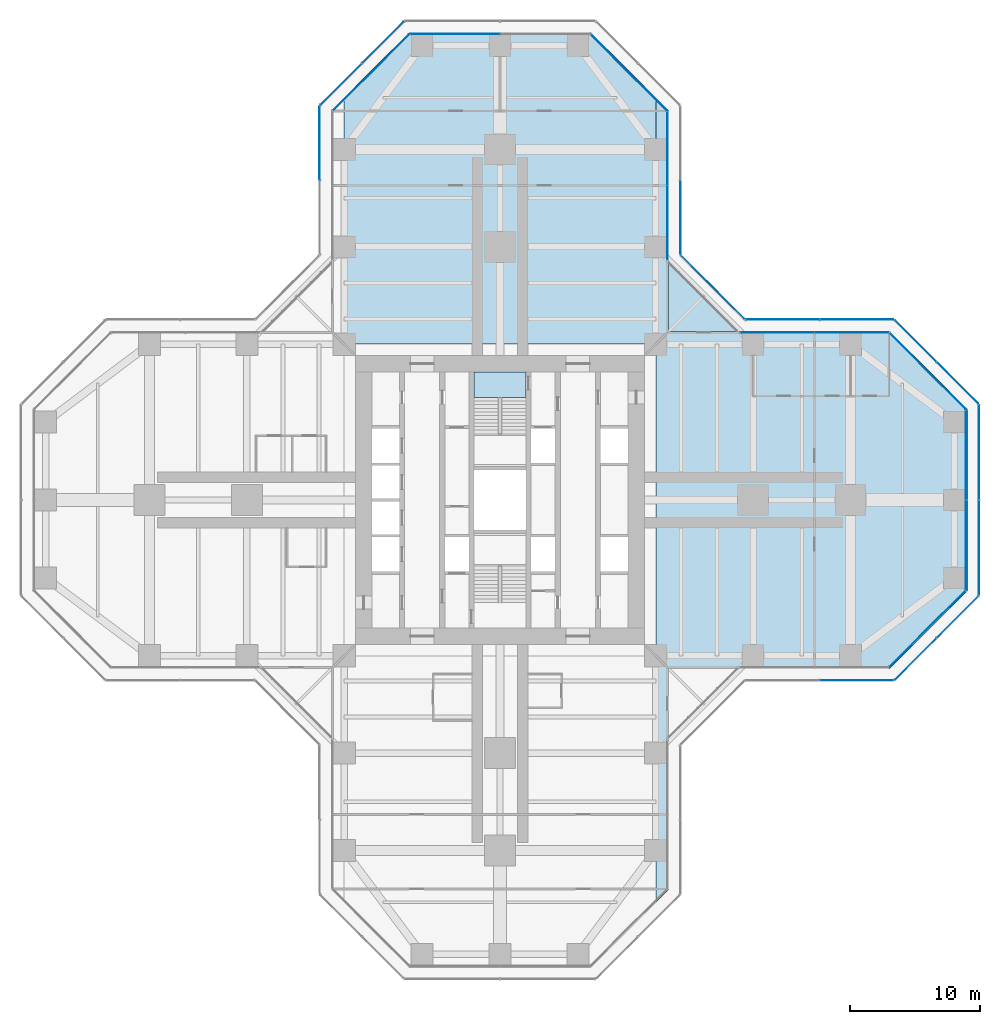
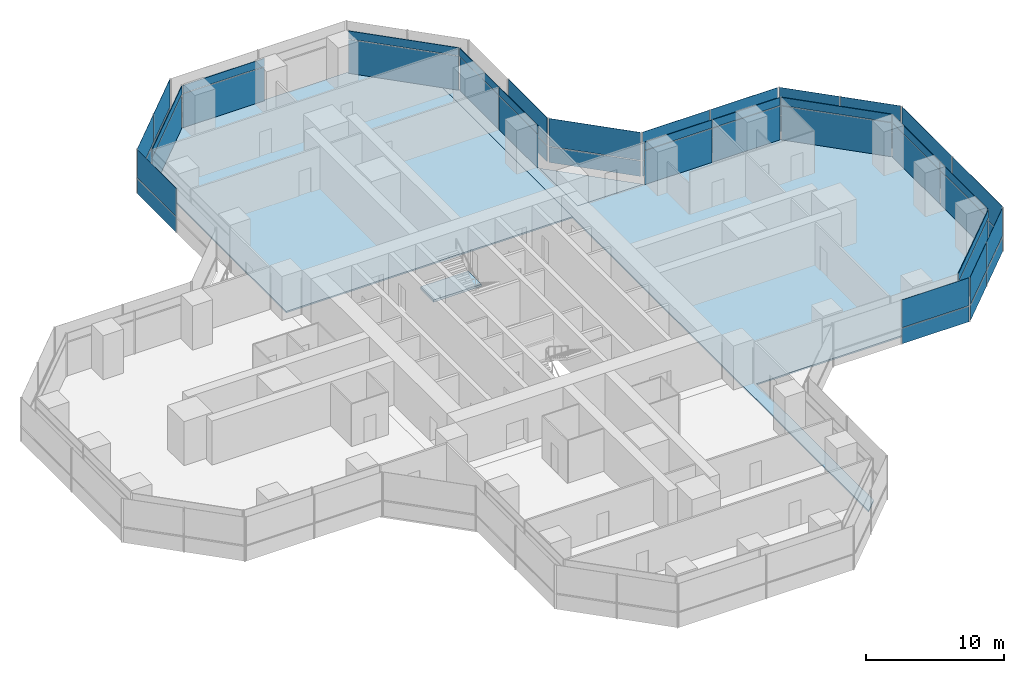
# One storey, part 16 of 22: 50 plates, 4 slabs, 18 elements without a shape of their own.
"""IFC4 building model written with IfcOpenShell, lengths in metres."""

from ifc_helpers import new_model, si_unit, direction, frame, origin, origin_2d, place, context, subcontext, project, spatial, polyline, rectangle, outline, extrude, material, layer, layer_set, type_object, element, aggregate, save


model = new_model("IFC4")

# Units and contexts
model_context = context("Model", 3, precision=1e-05, world=origin(), true_north=direction((0.0, 1.0)))
body_context = subcontext(model_context, "Body", "Model", "MODEL_VIEW")
ifc_project = project(units=[si_unit("LENGTHUNIT", "METRE"), si_unit("AREAUNIT", "SQUARE_METRE"), si_unit("VOLUMEUNIT", "CUBIC_METRE"), si_unit("PLANEANGLEUNIT", "RADIAN"), si_unit("MASSUNIT", "GRAM", prefix="KILO")], contexts=[model_context])

# Site, building, storey
site_placement = place(None, origin())
site = spatial("IfcSite", under=ifc_project, at=site_placement, CompositionType="ELEMENT")
building_placement = place(site_placement, origin())
building = spatial("IfcBuilding", under=site, at=building_placement, Name="Mizan Broadcast Tower", CompositionType="ELEMENT")
storey_placement = place(building_placement, frame((0.0, 0.0, 90.300048828125)))
storey = spatial("IfcBuildingStorey", under=building, at=storey_placement, Name="L19", CompositionType="ELEMENT", Elevation=90.300048828125)

# Slabs
ifc_material_1 = material(Name="Concrete C32/40", Category="concrete")
ifc_layer_1 = layer(ifc_material_1, 0.1298828125)
ifc_layer_set_1 = layer_set([ifc_layer_1], Name="Concrete C32/40")
slab_type_1 = type_object("IfcSlabType", Name="COMPOSITE DECK SLAB 130", PredefinedType="FLOOR", material=ifc_layer_set_1)
slab_1_placement = place(storey_placement, frame((0.0, 0.0, -0.130126953125)))
element("IfcSlab", 1, at=slab_1_placement, inside=storey, type_object=slab_type_1, Name="Floor slab L19 east arm", PredefinedType="FLOOR", context=body_context, shape_type="SweptSolid", body=[
    extrude(outline(polyline([(12.0, -31.0), (13.0, -30.0), (13.0, -13.0), (30.0, -13.0), (36.0, -7.0), (36.0, 7.0), (30.0, 13.0), (13.0, 13.0), (13.0, 30.0), (12.0, 31.0), (12.0, -31.0)])), origin(), (0.0, 0.0, 1.0), 0.130126953125),
])
slab_2_placement = place(storey_placement, frame((0.0, 0.0, -0.130126953125)))
element("IfcSlab", 2, at=slab_2_placement, inside=storey, type_object=slab_type_1, Name="Floor slab L19 north arm", PredefinedType="FLOOR", context=body_context, shape_type="SweptSolid", body=[
    extrude(outline(polyline([(-7.0, 36.0), (-12.0, 31.0), (-12.0, 12.0), (12.0, 12.0), (12.0, 31.0), (7.0, 36.0), (-7.0, 36.0)])), origin(), (0.0, 0.0, 1.0), 0.130126953125),
])

# Curtain wall, plate
ifc_material_2 = material(Name="Aluminium framed glazing", Category="aluminium")
curtain_wall_type_1 = type_object("IfcCurtainWallType", Name="INNER SKIN LOW ZONE", PredefinedType="USERDEFINED", material=ifc_material_2)
curtain_wall_1_placement = place(storey_placement, origin())
curtain_wall_1 = element("IfcCurtainWall", 3, at=curtain_wall_1_placement, inside=storey, type_object=curtain_wall_type_1, Name="Inner skin low zone L19 E chamfer", ObjectType="INNER SKIN LOW ZONE", PredefinedType="USERDEFINED")
ifc_material_3 = material(Name="Double glazing, clear low-e", Category="glass")
ifc_layer_2 = layer(ifc_material_3, 0.028076171875)
ifc_layer_set_2 = layer_set([ifc_layer_2], Name="Double glazing, clear low-e")
plate_type_1 = type_object("IfcPlateType", Name="INNER SKIN GLAZING UNIT", PredefinedType="CURTAIN_PANEL", material=ifc_layer_set_2)
plate_1_placement = place(storey_placement, frame((32.92919921875, -9.92919921875, 0.0), z_axis=(0.0, 0.0, 1.0), x_axis=(0.707106781187, 0.707106781187, 0.0)))
plate_1 = element("IfcPlate", 4, at=plate_1_placement, type_object=plate_type_1, Name="Inner skin low zone L19 E chamfer panel 1.1", PredefinedType="CURTAIN_PANEL", context=body_context, shape_type="SweptSolid", body=[
    extrude(rectangle(XDim=8.282470703125, YDim=0.028076171875, at=origin_2d()), origin(), (0.0, 0.0, 1.0), 3.0),
])

# Curtain wall, plates
curtain_wall_2_placement = place(storey_placement, origin())
curtain_wall_2 = element("IfcCurtainWall", 5, at=curtain_wall_2_placement, inside=storey, type_object=curtain_wall_type_1, Name="Inner skin low zone L19 E end", ObjectType="INNER SKIN LOW ZONE", PredefinedType="USERDEFINED")
plate_2_placement = place(storey_placement, frame((35.89990234375, -3.46435546875, 0.0), z_axis=(0.0, 0.0, 1.0), x_axis=(0.0, 1.0, 0.0)))
plate_2 = element("IfcPlate", 6, at=plate_2_placement, type_object=plate_type_1, Name="Inner skin low zone L19 E end panel 1.1", PredefinedType="CURTAIN_PANEL", context=body_context, shape_type="SweptSolid", body=[
    extrude(rectangle(XDim=6.86865234375, YDim=0.028076171875, at=origin_2d()), origin(), (0.0, 0.0, 1.0), 3.0),
])
plate_3_placement = place(storey_placement, frame((35.89990234375, 3.46435546875, 0.0), z_axis=(0.0, 0.0, 1.0), x_axis=(0.0, 1.0, 0.0)))
plate_3 = element("IfcPlate", 7, at=plate_3_placement, type_object=plate_type_1, Name="Inner skin low zone L19 E end panel 2.1", PredefinedType="CURTAIN_PANEL", context=body_context, shape_type="SweptSolid", body=[
    extrude(rectangle(XDim=6.86865234375, YDim=0.028076171875, at=origin_2d()), origin(), (0.0, 0.0, 1.0), 3.0),
])

# Curtain wall, plate
curtain_wall_3_placement = place(storey_placement, origin())
curtain_wall_3 = element("IfcCurtainWall", 8, at=curtain_wall_3_placement, inside=storey, type_object=curtain_wall_type_1, Name="Inner skin low zone L19 E chamfer", ObjectType="INNER SKIN LOW ZONE", PredefinedType="USERDEFINED")
plate_4_placement = place(storey_placement, frame((32.92919921875, 9.92919921875, 0.0), z_axis=(0.0, 0.0, 1.0), x_axis=(-0.707106781187, 0.707106781187, 0.0)))
plate_4 = element("IfcPlate", 9, at=plate_4_placement, type_object=plate_type_1, Name="Inner skin low zone L19 E chamfer panel 1.1", PredefinedType="CURTAIN_PANEL", context=body_context, shape_type="SweptSolid", body=[
    extrude(rectangle(XDim=8.282470703125, YDim=0.028076171875, at=origin_2d()), origin(), (0.0, 0.0, 1.0), 3.0),
])

# Curtain wall, plates
curtain_wall_4_placement = place(storey_placement, origin())
curtain_wall_4 = element("IfcCurtainWall", 10, at=curtain_wall_4_placement, inside=storey, type_object=curtain_wall_type_1, Name="Inner skin low zone L19 E side", ObjectType="INNER SKIN LOW ZONE", PredefinedType="USERDEFINED")
plate_5_placement = place(storey_placement, frame((27.078857421875, 12.89990234375, 0.0), z_axis=(0.0, 0.0, 1.0), x_axis=(-1.0, 0.0, 0.0)))
plate_5 = element("IfcPlate", 11, at=plate_5_placement, type_object=plate_type_1, Name="Inner skin low zone L19 E side panel 1.1", PredefinedType="CURTAIN_PANEL", context=body_context, shape_type="SweptSolid", body=[
    extrude(rectangle(XDim=5.639404296875, YDim=0.028076171875, at=origin_2d()), origin(), (0.0, 0.0, 1.0), 3.0),
])
plate_6_placement = place(storey_placement, frame((21.379638671875, 12.89990234375, 0.0), z_axis=(0.0, 0.0, 1.0), x_axis=(-1.0, 0.0, 0.0)))
plate_6 = element("IfcPlate", 12, at=plate_6_placement, type_object=plate_type_1, Name="Inner skin low zone L19 E side panel 2.1", PredefinedType="CURTAIN_PANEL", context=body_context, shape_type="SweptSolid", body=[
    extrude(rectangle(XDim=5.639404296875, YDim=0.028076171875, at=origin_2d()), origin(), (0.0, 0.0, 1.0), 3.0),
])

curtain_wall_5_placement = place(storey_placement, origin())
curtain_wall_5 = element("IfcCurtainWall", 13, at=curtain_wall_5_placement, inside=storey, type_object=curtain_wall_type_1, Name="Inner skin low zone L19 N side", ObjectType="INNER SKIN LOW ZONE", PredefinedType="USERDEFINED")
plate_7_placement = place(storey_placement, frame((12.89990234375, 21.379638671875, 0.0), z_axis=(0.0, 0.0, 1.0), x_axis=(0.0, 1.0, 0.0)))
plate_7 = element("IfcPlate", 14, at=plate_7_placement, type_object=plate_type_1, Name="Inner skin low zone L19 N side panel 1.1", PredefinedType="CURTAIN_PANEL", context=body_context, shape_type="SweptSolid", body=[
    extrude(rectangle(XDim=5.639404296875, YDim=0.028076171875, at=origin_2d()), origin(), (0.0, 0.0, 1.0), 3.0),
])
plate_8_placement = place(storey_placement, frame((12.89990234375, 27.078857421875, 0.0), z_axis=(0.0, 0.0, 1.0), x_axis=(0.0, 1.0, 0.0)))
plate_8 = element("IfcPlate", 15, at=plate_8_placement, type_object=plate_type_1, Name="Inner skin low zone L19 N side panel 2.1", PredefinedType="CURTAIN_PANEL", context=body_context, shape_type="SweptSolid", body=[
    extrude(rectangle(XDim=5.639404296875, YDim=0.028076171875, at=origin_2d()), origin(), (0.0, 0.0, 1.0), 3.0),
])

# Curtain wall, plate
curtain_wall_6_placement = place(storey_placement, origin())
curtain_wall_6 = element("IfcCurtainWall", 16, at=curtain_wall_6_placement, inside=storey, type_object=curtain_wall_type_1, Name="Inner skin low zone L19 N chamfer", ObjectType="INNER SKIN LOW ZONE", PredefinedType="USERDEFINED")
plate_9_placement = place(storey_placement, frame((9.92919921875, 32.92919921875, 0.0), z_axis=(0.0, 0.0, 1.0), x_axis=(-0.707106781187, 0.707106781187, 0.0)))
plate_9 = element("IfcPlate", 17, at=plate_9_placement, type_object=plate_type_1, Name="Inner skin low zone L19 N chamfer panel 1.1", PredefinedType="CURTAIN_PANEL", context=body_context, shape_type="SweptSolid", body=[
    extrude(rectangle(XDim=8.282470703125, YDim=0.028076171875, at=origin_2d()), origin(), (0.0, 0.0, 1.0), 3.0),
])

curtain_wall_7_placement = place(storey_placement, origin())
curtain_wall_7 = element("IfcCurtainWall", 18, at=curtain_wall_7_placement, inside=storey, type_object=curtain_wall_type_1, Name="Inner skin low zone L19 N end", ObjectType="INNER SKIN LOW ZONE", PredefinedType="USERDEFINED")
plate_10_placement = place(storey_placement, frame((-3.46435546875, 35.89990234375, 0.0), z_axis=(0.0, 0.0, 1.0), x_axis=(-1.0, 0.0, 0.0)))
plate_10 = element("IfcPlate", 19, at=plate_10_placement, type_object=plate_type_1, Name="Inner skin low zone L19 N end panel 2.1", PredefinedType="CURTAIN_PANEL", context=body_context, shape_type="SweptSolid", body=[
    extrude(rectangle(XDim=6.86865234375, YDim=0.028076171875, at=origin_2d()), origin(), (0.0, 0.0, 1.0), 3.0),
])

curtain_wall_8_placement = place(storey_placement, origin())
curtain_wall_8 = element("IfcCurtainWall", 20, at=curtain_wall_8_placement, inside=storey, type_object=curtain_wall_type_1, Name="Inner skin low zone L19 N chamfer", ObjectType="INNER SKIN LOW ZONE", PredefinedType="USERDEFINED")
plate_11_placement = place(storey_placement, frame((-9.92919921875, 32.92919921875, 0.0), z_axis=(0.0, 0.0, 1.0), x_axis=(-0.707106781187, -0.707106781187, 0.0)))
plate_11 = element("IfcPlate", 21, at=plate_11_placement, type_object=plate_type_1, Name="Inner skin low zone L19 N chamfer panel 1.1", PredefinedType="CURTAIN_PANEL", context=body_context, shape_type="SweptSolid", body=[
    extrude(rectangle(XDim=8.282470703125, YDim=0.028076171875, at=origin_2d()), origin(), (0.0, 0.0, 1.0), 3.0),
])

# Plate
ifc_material_4 = material(Name="Insulated aluminium spandrel panel, pale anodised", Category="aluminium")
ifc_layer_3 = layer(ifc_material_4, 0.050048828125)
ifc_layer_set_3 = layer_set([ifc_layer_3], Name="Insulated aluminium spandrel panel, pale anodised")
plate_type_2 = type_object("IfcPlateType", Name="INNER SKIN SPANDREL PANEL", PredefinedType="CURTAIN_PANEL", material=ifc_layer_set_3)
plate_12_placement = place(storey_placement, frame((32.92919921875, -9.92919921875, 3.06005859375), z_axis=(0.0, 0.0, 1.0), x_axis=(0.707106781187, 0.707106781187, 0.0)))
plate_12 = element("IfcPlate", 22, at=plate_12_placement, type_object=plate_type_2, Name="Inner skin low zone L19 E chamfer panel 1.2", PredefinedType="CURTAIN_PANEL", context=body_context, shape_type="SweptSolid", body=[
    extrude(rectangle(XDim=8.282470703125, YDim=0.050048828125, at=origin_2d()), origin(), (0.0, 0.0, 1.0), 0.7099609375),
])

aggregate(curtain_wall_1, [plate_1, plate_12])

plate_13_placement = place(storey_placement, frame((35.89990234375, -3.46435546875, 3.06005859375), z_axis=(0.0, 0.0, 1.0), x_axis=(0.0, 1.0, 0.0)))
plate_13 = element("IfcPlate", 23, at=plate_13_placement, type_object=plate_type_2, Name="Inner skin low zone L19 E end panel 1.2", PredefinedType="CURTAIN_PANEL", context=body_context, shape_type="SweptSolid", body=[
    extrude(rectangle(XDim=6.86865234375, YDim=0.050048828125, at=origin_2d()), origin(), (0.0, 0.0, 1.0), 0.7099609375),
])

plate_14_placement = place(storey_placement, frame((35.89990234375, 3.46435546875, 3.06005859375), z_axis=(0.0, 0.0, 1.0), x_axis=(0.0, 1.0, 0.0)))
plate_14 = element("IfcPlate", 24, at=plate_14_placement, type_object=plate_type_2, Name="Inner skin low zone L19 E end panel 2.2", PredefinedType="CURTAIN_PANEL", context=body_context, shape_type="SweptSolid", body=[
    extrude(rectangle(XDim=6.86865234375, YDim=0.050048828125, at=origin_2d()), origin(), (0.0, 0.0, 1.0), 0.7099609375),
])

aggregate(curtain_wall_2, [plate_2, plate_13, plate_3, plate_14])

plate_15_placement = place(storey_placement, frame((32.92919921875, 9.92919921875, 3.06005859375), z_axis=(0.0, 0.0, 1.0), x_axis=(-0.707106781187, 0.707106781187, 0.0)))
plate_15 = element("IfcPlate", 25, at=plate_15_placement, type_object=plate_type_2, Name="Inner skin low zone L19 E chamfer panel 1.2", PredefinedType="CURTAIN_PANEL", context=body_context, shape_type="SweptSolid", body=[
    extrude(rectangle(XDim=8.282470703125, YDim=0.050048828125, at=origin_2d()), origin(), (0.0, 0.0, 1.0), 0.7099609375),
])

aggregate(curtain_wall_3, [plate_4, plate_15])

plate_16_placement = place(storey_placement, frame((27.078857421875, 12.89990234375, 3.06005859375), z_axis=(0.0, 0.0, 1.0), x_axis=(-1.0, 0.0, 0.0)))
plate_16 = element("IfcPlate", 26, at=plate_16_placement, type_object=plate_type_2, Name="Inner skin low zone L19 E side panel 1.2", PredefinedType="CURTAIN_PANEL", context=body_context, shape_type="SweptSolid", body=[
    extrude(rectangle(XDim=5.639404296875, YDim=0.050048828125, at=origin_2d()), origin(), (0.0, 0.0, 1.0), 0.7099609375),
])

plate_17_placement = place(storey_placement, frame((21.379638671875, 12.89990234375, 3.06005859375), z_axis=(0.0, 0.0, 1.0), x_axis=(-1.0, 0.0, 0.0)))
plate_17 = element("IfcPlate", 27, at=plate_17_placement, type_object=plate_type_2, Name="Inner skin low zone L19 E side panel 2.2", PredefinedType="CURTAIN_PANEL", context=body_context, shape_type="SweptSolid", body=[
    extrude(rectangle(XDim=5.639404296875, YDim=0.050048828125, at=origin_2d()), origin(), (0.0, 0.0, 1.0), 0.7099609375),
])

aggregate(curtain_wall_4, [plate_5, plate_16, plate_6, plate_17])

plate_18_placement = place(storey_placement, frame((12.89990234375, 21.379638671875, 3.06005859375), z_axis=(0.0, 0.0, 1.0), x_axis=(0.0, 1.0, 0.0)))
plate_18 = element("IfcPlate", 28, at=plate_18_placement, type_object=plate_type_2, Name="Inner skin low zone L19 N side panel 1.2", PredefinedType="CURTAIN_PANEL", context=body_context, shape_type="SweptSolid", body=[
    extrude(rectangle(XDim=5.639404296875, YDim=0.050048828125, at=origin_2d()), origin(), (0.0, 0.0, 1.0), 0.7099609375),
])

plate_19_placement = place(storey_placement, frame((12.89990234375, 27.078857421875, 3.06005859375), z_axis=(0.0, 0.0, 1.0), x_axis=(0.0, 1.0, 0.0)))
plate_19 = element("IfcPlate", 29, at=plate_19_placement, type_object=plate_type_2, Name="Inner skin low zone L19 N side panel 2.2", PredefinedType="CURTAIN_PANEL", context=body_context, shape_type="SweptSolid", body=[
    extrude(rectangle(XDim=5.639404296875, YDim=0.050048828125, at=origin_2d()), origin(), (0.0, 0.0, 1.0), 0.7099609375),
])

aggregate(curtain_wall_5, [plate_7, plate_18, plate_8, plate_19])

plate_20_placement = place(storey_placement, frame((9.92919921875, 32.92919921875, 3.06005859375), z_axis=(0.0, 0.0, 1.0), x_axis=(-0.707106781187, 0.707106781187, 0.0)))
plate_20 = element("IfcPlate", 30, at=plate_20_placement, type_object=plate_type_2, Name="Inner skin low zone L19 N chamfer panel 1.2", PredefinedType="CURTAIN_PANEL", context=body_context, shape_type="SweptSolid", body=[
    extrude(rectangle(XDim=8.282470703125, YDim=0.050048828125, at=origin_2d()), origin(), (0.0, 0.0, 1.0), 0.7099609375),
])

aggregate(curtain_wall_6, [plate_9, plate_20])

plate_21_placement = place(storey_placement, frame((-3.46435546875, 35.89990234375, 3.06005859375), z_axis=(0.0, 0.0, 1.0), x_axis=(-1.0, 0.0, 0.0)))
plate_21 = element("IfcPlate", 31, at=plate_21_placement, type_object=plate_type_2, Name="Inner skin low zone L19 N end panel 2.2", PredefinedType="CURTAIN_PANEL", context=body_context, shape_type="SweptSolid", body=[
    extrude(rectangle(XDim=6.86865234375, YDim=0.050048828125, at=origin_2d()), origin(), (0.0, 0.0, 1.0), 0.7099609375),
])

aggregate(curtain_wall_7, [plate_10, plate_21])

plate_22_placement = place(storey_placement, frame((-9.92919921875, 32.92919921875, 3.06005859375), z_axis=(0.0, 0.0, 1.0), x_axis=(-0.707106781187, -0.707106781187, 0.0)))
plate_22 = element("IfcPlate", 32, at=plate_22_placement, type_object=plate_type_2, Name="Inner skin low zone L19 N chamfer panel 1.2", PredefinedType="CURTAIN_PANEL", context=body_context, shape_type="SweptSolid", body=[
    extrude(rectangle(XDim=8.282470703125, YDim=0.050048828125, at=origin_2d()), origin(), (0.0, 0.0, 1.0), 0.7099609375),
])

aggregate(curtain_wall_8, [plate_11, plate_22])

# Curtain wall, plates
ifc_material_5 = material(Name="Aluminium framed glazing", Category="aluminium")
curtain_wall_type_2 = type_object("IfcCurtainWallType", Name="OUTER SKIN", PredefinedType="USERDEFINED", material=ifc_material_5)
curtain_wall_9_placement = place(storey_placement, origin())
curtain_wall_9 = element("IfcCurtainWall", 33, at=curtain_wall_9_placement, inside=storey, type_object=curtain_wall_type_2, Name="Outer skin L19 E chamfer", ObjectType="OUTER SKIN", PredefinedType="USERDEFINED")
ifc_material_6 = material(Name="Laminated clear glass", Category="glass")
ifc_layer_4 = layer(ifc_material_6, 0.02001953125)
ifc_layer_set_4 = layer_set([ifc_layer_4], Name="Laminated clear glass")
plate_type_3 = type_object("IfcPlateType", Name="OUTER SKIN CLEAR GLASS", PredefinedType="CURTAIN_PANEL", material=ifc_layer_set_4)
plate_23_placement = place(storey_placement, frame((32.018798828125, -12.254150390625, 0.0), z_axis=(0.0, 0.0, 1.0), x_axis=(0.707106781187, 0.707106781187, 0.0)))
plate_23 = element("IfcPlate", 34, at=plate_23_placement, type_object=plate_type_3, Name="Outer skin L19 E chamfer panel 1.1", PredefinedType="CURTAIN_PANEL", context=body_context, shape_type="SweptSolid", body=[
    extrude(rectangle(XDim=4.495361328125, YDim=0.02001953125, at=origin_2d()), origin(), (0.0, 0.0, 1.0), 1.3701171875),
])
plate_24_placement = place(storey_placement, frame((32.018798828125, -12.254150390625, 1.43017578125), z_axis=(0.0, 0.0, 1.0), x_axis=(0.707106781187, 0.707106781187, 0.0)))
plate_24 = element("IfcPlate", 35, at=plate_24_placement, type_object=plate_type_3, Name="Outer skin L19 E chamfer panel 1.2", PredefinedType="CURTAIN_PANEL", context=body_context, shape_type="SweptSolid", body=[
    extrude(rectangle(XDim=4.495361328125, YDim=0.02001953125, at=origin_2d()), origin(), (0.0, 0.0, 1.0), 2.469970703125),
])

curtain_wall_10_placement = place(storey_placement, origin())
curtain_wall_10 = element("IfcCurtainWall", 36, at=curtain_wall_10_placement, inside=storey, type_object=curtain_wall_type_2, Name="Outer skin L19 E end", ObjectType="OUTER SKIN", PredefinedType="USERDEFINED")
plate_25_placement = place(storey_placement, frame((36.89990234375, -3.66650390625, 0.0), z_axis=(0.0, 0.0, 1.0), x_axis=(0.0, 1.0, 0.0)))
plate_25 = element("IfcPlate", 37, at=plate_25_placement, type_object=plate_type_3, Name="Outer skin L19 E end panel 1.1", PredefinedType="CURTAIN_PANEL", context=body_context, shape_type="SweptSolid", body=[
    extrude(rectangle(XDim=7.252685546875, YDim=0.02001953125, at=origin_2d()), origin(), (0.0, 0.0, 1.0), 1.3701171875),
])
plate_26_placement = place(storey_placement, frame((36.89990234375, -3.66650390625, 1.43017578125), z_axis=(0.0, 0.0, 1.0), x_axis=(0.0, 1.0, 0.0)))
plate_26 = element("IfcPlate", 38, at=plate_26_placement, type_object=plate_type_3, Name="Outer skin L19 E end panel 1.2", PredefinedType="CURTAIN_PANEL", context=body_context, shape_type="SweptSolid", body=[
    extrude(rectangle(XDim=7.252685546875, YDim=0.02001953125, at=origin_2d()), origin(), (0.0, 0.0, 1.0), 2.469970703125),
])

curtain_wall_11_placement = place(storey_placement, origin())
curtain_wall_11 = element("IfcCurtainWall", 39, at=curtain_wall_11_placement, inside=storey, type_object=curtain_wall_type_2, Name="Outer skin L19 E chamfer", ObjectType="OUTER SKIN", PredefinedType="USERDEFINED")
plate_27_placement = place(storey_placement, frame((35.254150390625, 9.018798828125, 0.0), z_axis=(0.0, 0.0, 1.0), x_axis=(-0.707106781187, 0.707106781187, 0.0)))
plate_27 = element("IfcPlate", 40, at=plate_27_placement, type_object=plate_type_3, Name="Outer skin L19 E chamfer panel 1.1", PredefinedType="CURTAIN_PANEL", context=body_context, shape_type="SweptSolid", body=[
    extrude(rectangle(XDim=4.495361328125, YDim=0.02001953125, at=origin_2d()), origin(), (0.0, 0.0, 1.0), 1.3701171875),
])
plate_28_placement = place(storey_placement, frame((35.254150390625, 9.018798828125, 1.43017578125), z_axis=(0.0, 0.0, 1.0), x_axis=(-0.707106781187, 0.707106781187, 0.0)))
plate_28 = element("IfcPlate", 41, at=plate_28_placement, type_object=plate_type_3, Name="Outer skin L19 E chamfer panel 1.2", PredefinedType="CURTAIN_PANEL", context=body_context, shape_type="SweptSolid", body=[
    extrude(rectangle(XDim=4.495361328125, YDim=0.02001953125, at=origin_2d()), origin(), (0.0, 0.0, 1.0), 2.469970703125),
])

curtain_wall_12_placement = place(storey_placement, origin())
curtain_wall_12 = element("IfcCurtainWall", 42, at=curtain_wall_12_placement, inside=storey, type_object=curtain_wall_type_2, Name="Outer skin L19 E side", ObjectType="OUTER SKIN", PredefinedType="USERDEFINED")
plate_29_placement = place(storey_placement, frame((27.477783203125, 13.89990234375, 0.0), z_axis=(0.0, 0.0, 1.0), x_axis=(-1.0, 0.0, 0.0)))
plate_29 = element("IfcPlate", 43, at=plate_29_placement, type_object=plate_type_3, Name="Outer skin L19 E side panel 1.1", PredefinedType="CURTAIN_PANEL", context=body_context, shape_type="SweptSolid", body=[
    extrude(rectangle(XDim=5.6298828125, YDim=0.02001953125, at=origin_2d()), origin(), (0.0, 0.0, 1.0), 1.3701171875),
])
plate_30_placement = place(storey_placement, frame((27.477783203125, 13.89990234375, 1.43017578125), z_axis=(0.0, 0.0, 1.0), x_axis=(-1.0, 0.0, 0.0)))
plate_30 = element("IfcPlate", 44, at=plate_30_placement, type_object=plate_type_3, Name="Outer skin L19 E side panel 1.2", PredefinedType="CURTAIN_PANEL", context=body_context, shape_type="SweptSolid", body=[
    extrude(rectangle(XDim=5.6298828125, YDim=0.02001953125, at=origin_2d()), origin(), (0.0, 0.0, 1.0), 2.469970703125),
])
plate_31_placement = place(storey_placement, frame((21.767822265625, 13.89990234375, 0.0), z_axis=(0.0, 0.0, 1.0), x_axis=(-1.0, 0.0, 0.0)))
plate_31 = element("IfcPlate", 45, at=plate_31_placement, type_object=plate_type_3, Name="Outer skin L19 E side panel 2.1", PredefinedType="CURTAIN_PANEL", context=body_context, shape_type="SweptSolid", body=[
    extrude(rectangle(XDim=5.6298828125, YDim=0.02001953125, at=origin_2d()), origin(), (0.0, 0.0, 1.0), 1.3701171875),
])
plate_32_placement = place(storey_placement, frame((21.767822265625, 13.89990234375, 1.43017578125), z_axis=(0.0, 0.0, 1.0), x_axis=(-1.0, 0.0, 0.0)))
plate_32 = element("IfcPlate", 46, at=plate_32_placement, type_object=plate_type_3, Name="Outer skin L19 E side panel 2.2", PredefinedType="CURTAIN_PANEL", context=body_context, shape_type="SweptSolid", body=[
    extrude(rectangle(XDim=5.6298828125, YDim=0.02001953125, at=origin_2d()), origin(), (0.0, 0.0, 1.0), 2.469970703125),
])
aggregate(curtain_wall_12, [plate_29, plate_30, plate_31, plate_32])

curtain_wall_13_placement = place(storey_placement, origin())
curtain_wall_13 = element("IfcCurtainWall", 47, at=curtain_wall_13_placement, inside=storey, type_object=curtain_wall_type_2, Name="Outer skin L19 E chamfer", ObjectType="OUTER SKIN", PredefinedType="USERDEFINED")
plate_33_placement = place(storey_placement, frame((16.386474609375, 16.386474609375, 0.0), z_axis=(0.0, 0.0, 1.0), x_axis=(-0.707106781187, 0.707106781187, 0.0)))
plate_33 = element("IfcPlate", 48, at=plate_33_placement, type_object=plate_type_3, Name="Outer skin L19 E chamfer panel 1.1", PredefinedType="CURTAIN_PANEL", context=body_context, shape_type="SweptSolid", body=[
    extrude(rectangle(XDim=6.87255859375, YDim=0.02001953125, at=origin_2d()), origin(), (0.0, 0.0, 1.0), 1.3701171875),
])
plate_34_placement = place(storey_placement, frame((16.386474609375, 16.386474609375, 1.43017578125), z_axis=(0.0, 0.0, 1.0), x_axis=(-0.707106781187, 0.707106781187, 0.0)))
plate_34 = element("IfcPlate", 49, at=plate_34_placement, type_object=plate_type_3, Name="Outer skin L19 E chamfer panel 1.2", PredefinedType="CURTAIN_PANEL", context=body_context, shape_type="SweptSolid", body=[
    extrude(rectangle(XDim=6.87255859375, YDim=0.02001953125, at=origin_2d()), origin(), (0.0, 0.0, 1.0), 2.469970703125),
])
aggregate(curtain_wall_13, [plate_33, plate_34])

curtain_wall_14_placement = place(storey_placement, origin())
curtain_wall_14 = element("IfcCurtainWall", 50, at=curtain_wall_14_placement, inside=storey, type_object=curtain_wall_type_2, Name="Outer skin L19 N side", ObjectType="OUTER SKIN", PredefinedType="USERDEFINED")
plate_35_placement = place(storey_placement, frame((13.89990234375, 21.767822265625, 0.0), z_axis=(0.0, 0.0, 1.0), x_axis=(0.0, 1.0, 0.0)))
plate_35 = element("IfcPlate", 51, at=plate_35_placement, type_object=plate_type_3, Name="Outer skin L19 N side panel 1.1", PredefinedType="CURTAIN_PANEL", context=body_context, shape_type="SweptSolid", body=[
    extrude(rectangle(XDim=5.6298828125, YDim=0.02001953125, at=origin_2d()), origin(), (0.0, 0.0, 1.0), 1.3701171875),
])
plate_36_placement = place(storey_placement, frame((13.89990234375, 21.767822265625, 1.43017578125), z_axis=(0.0, 0.0, 1.0), x_axis=(0.0, 1.0, 0.0)))
plate_36 = element("IfcPlate", 52, at=plate_36_placement, type_object=plate_type_3, Name="Outer skin L19 N side panel 1.2", PredefinedType="CURTAIN_PANEL", context=body_context, shape_type="SweptSolid", body=[
    extrude(rectangle(XDim=5.6298828125, YDim=0.02001953125, at=origin_2d()), origin(), (0.0, 0.0, 1.0), 2.469970703125),
])
aggregate(curtain_wall_14, [plate_35, plate_36])

curtain_wall_15_placement = place(storey_placement, origin())
curtain_wall_15 = element("IfcCurtainWall", 53, at=curtain_wall_15_placement, inside=storey, type_object=curtain_wall_type_2, Name="Outer skin L19 N chamfer", ObjectType="OUTER SKIN", PredefinedType="USERDEFINED")
plate_37_placement = place(storey_placement, frame((-9.018798828125, 35.254150390625, 0.0), z_axis=(0.0, 0.0, 1.0), x_axis=(-0.707106781187, -0.707106781187, 0.0)))
plate_37 = element("IfcPlate", 54, at=plate_37_placement, type_object=plate_type_3, Name="Outer skin L19 N chamfer panel 1.1", PredefinedType="CURTAIN_PANEL", context=body_context, shape_type="SweptSolid", body=[
    extrude(rectangle(XDim=4.495361328125, YDim=0.02001953125, at=origin_2d()), origin(), (0.0, 0.0, 1.0), 1.3701171875),
])
plate_38_placement = place(storey_placement, frame((-9.018798828125, 35.254150390625, 1.43017578125), z_axis=(0.0, 0.0, 1.0), x_axis=(-0.707106781187, -0.707106781187, 0.0)))
plate_38 = element("IfcPlate", 55, at=plate_38_placement, type_object=plate_type_3, Name="Outer skin L19 N chamfer panel 1.2", PredefinedType="CURTAIN_PANEL", context=body_context, shape_type="SweptSolid", body=[
    extrude(rectangle(XDim=4.495361328125, YDim=0.02001953125, at=origin_2d()), origin(), (0.0, 0.0, 1.0), 2.469970703125),
])

curtain_wall_16_placement = place(storey_placement, origin())
curtain_wall_16 = element("IfcCurtainWall", 56, at=curtain_wall_16_placement, inside=storey, type_object=curtain_wall_type_2, Name="Outer skin L19 N side", ObjectType="OUTER SKIN", PredefinedType="USERDEFINED")
plate_39_placement = place(storey_placement, frame((-13.89990234375, 27.477783203125, 0.0), z_axis=(0.0, 0.0, 1.0), x_axis=(0.0, -1.0, 0.0)))
plate_39 = element("IfcPlate", 57, at=plate_39_placement, type_object=plate_type_3, Name="Outer skin L19 N side panel 1.1", PredefinedType="CURTAIN_PANEL", context=body_context, shape_type="SweptSolid", body=[
    extrude(rectangle(XDim=5.6298828125, YDim=0.02001953125, at=origin_2d()), origin(), (0.0, 0.0, 1.0), 1.3701171875),
])
plate_40_placement = place(storey_placement, frame((-13.89990234375, 27.477783203125, 1.43017578125), z_axis=(0.0, 0.0, 1.0), x_axis=(0.0, -1.0, 0.0)))
plate_40 = element("IfcPlate", 58, at=plate_40_placement, type_object=plate_type_3, Name="Outer skin L19 N side panel 1.2", PredefinedType="CURTAIN_PANEL", context=body_context, shape_type="SweptSolid", body=[
    extrude(rectangle(XDim=5.6298828125, YDim=0.02001953125, at=origin_2d()), origin(), (0.0, 0.0, 1.0), 2.469970703125),
])
aggregate(curtain_wall_16, [plate_39, plate_40])

# Plate
ifc_material_7 = material(Name="Perforated aluminium, pale anodised", Category="aluminium")
ifc_layer_5 = layer(ifc_material_7, 0.011962890625)
ifc_layer_set_5 = layer_set([ifc_layer_5], Name="Perforated aluminium, pale anodised")
plate_type_4 = type_object("IfcPlateType", Name="OUTER SKIN PERFORATED SCREEN", PredefinedType="USERDEFINED", material=ifc_layer_set_5)
plate_41_placement = place(storey_placement, frame((35.254150390625, -9.018798828125, 0.0), z_axis=(0.0, 0.0, 1.0), x_axis=(0.707106781187, 0.707106781187, 0.0)))
plate_41 = element("IfcPlate", 59, at=plate_41_placement, type_object=plate_type_4, Name="Outer skin L19 E chamfer panel 2.1", ObjectType="SCREEN", PredefinedType="USERDEFINED", context=body_context, shape_type="SweptSolid", body=[
    extrude(rectangle(XDim=4.495361328125, YDim=0.011962890625, at=origin_2d()), origin(), (0.0, 0.0, 1.0), 1.3701171875),
])

plate_42_placement = place(storey_placement, frame((35.254150390625, -9.018798828125, 1.43017578125), z_axis=(0.0, 0.0, 1.0), x_axis=(0.707106781187, 0.707106781187, 0.0)))
plate_42 = element("IfcPlate", 60, at=plate_42_placement, type_object=plate_type_4, Name="Outer skin L19 E chamfer panel 2.2", ObjectType="SCREEN", PredefinedType="USERDEFINED", context=body_context, shape_type="SweptSolid", body=[
    extrude(rectangle(XDim=4.495361328125, YDim=0.011962890625, at=origin_2d()), origin(), (0.0, 0.0, 1.0), 2.469970703125),
])

aggregate(curtain_wall_9, [plate_23, plate_24, plate_41, plate_42])

plate_43_placement = place(storey_placement, frame((36.89990234375, 3.66650390625, 0.0), z_axis=(0.0, 0.0, 1.0), x_axis=(0.0, 1.0, 0.0)))
plate_43 = element("IfcPlate", 61, at=plate_43_placement, type_object=plate_type_4, Name="Outer skin L19 E end panel 2.1", ObjectType="SCREEN", PredefinedType="USERDEFINED", context=body_context, shape_type="SweptSolid", body=[
    extrude(rectangle(XDim=7.252685546875, YDim=0.011962890625, at=origin_2d()), origin(), (0.0, 0.0, 1.0), 1.3701171875),
])

plate_44_placement = place(storey_placement, frame((36.89990234375, 3.66650390625, 1.43017578125), z_axis=(0.0, 0.0, 1.0), x_axis=(0.0, 1.0, 0.0)))
plate_44 = element("IfcPlate", 62, at=plate_44_placement, type_object=plate_type_4, Name="Outer skin L19 E end panel 2.2", ObjectType="SCREEN", PredefinedType="USERDEFINED", context=body_context, shape_type="SweptSolid", body=[
    extrude(rectangle(XDim=7.252685546875, YDim=0.011962890625, at=origin_2d()), origin(), (0.0, 0.0, 1.0), 2.469970703125),
])

aggregate(curtain_wall_10, [plate_25, plate_26, plate_43, plate_44])

plate_45_placement = place(storey_placement, frame((32.018798828125, 12.254150390625, 0.0), z_axis=(0.0, 0.0, 1.0), x_axis=(-0.707106781187, 0.707106781187, 0.0)))
plate_45 = element("IfcPlate", 63, at=plate_45_placement, type_object=plate_type_4, Name="Outer skin L19 E chamfer panel 2.1", ObjectType="SCREEN", PredefinedType="USERDEFINED", context=body_context, shape_type="SweptSolid", body=[
    extrude(rectangle(XDim=4.495361328125, YDim=0.011962890625, at=origin_2d()), origin(), (0.0, 0.0, 1.0), 1.3701171875),
])

plate_46_placement = place(storey_placement, frame((32.018798828125, 12.254150390625, 1.43017578125), z_axis=(0.0, 0.0, 1.0), x_axis=(-0.707106781187, 0.707106781187, 0.0)))
plate_46 = element("IfcPlate", 64, at=plate_46_placement, type_object=plate_type_4, Name="Outer skin L19 E chamfer panel 2.2", ObjectType="SCREEN", PredefinedType="USERDEFINED", context=body_context, shape_type="SweptSolid", body=[
    extrude(rectangle(XDim=4.495361328125, YDim=0.011962890625, at=origin_2d()), origin(), (0.0, 0.0, 1.0), 2.469970703125),
])

aggregate(curtain_wall_11, [plate_27, plate_28, plate_45, plate_46])

plate_47_placement = place(storey_placement, frame((-12.254150390625, 32.018798828125, 0.0), z_axis=(0.0, 0.0, 1.0), x_axis=(-0.707106781187, -0.707106781187, 0.0)))
plate_47 = element("IfcPlate", 65, at=plate_47_placement, type_object=plate_type_4, Name="Outer skin L19 N chamfer panel 2.1", ObjectType="SCREEN", PredefinedType="USERDEFINED", context=body_context, shape_type="SweptSolid", body=[
    extrude(rectangle(XDim=4.495361328125, YDim=0.011962890625, at=origin_2d()), origin(), (0.0, 0.0, 1.0), 1.3701171875),
])

plate_48_placement = place(storey_placement, frame((-12.254150390625, 32.018798828125, 1.43017578125), z_axis=(0.0, 0.0, 1.0), x_axis=(-0.707106781187, -0.707106781187, 0.0)))
plate_48 = element("IfcPlate", 66, at=plate_48_placement, type_object=plate_type_4, Name="Outer skin L19 N chamfer panel 2.2", ObjectType="SCREEN", PredefinedType="USERDEFINED", context=body_context, shape_type="SweptSolid", body=[
    extrude(rectangle(XDim=4.495361328125, YDim=0.011962890625, at=origin_2d()), origin(), (0.0, 0.0, 1.0), 2.469970703125),
])

aggregate(curtain_wall_15, [plate_37, plate_38, plate_47, plate_48])

# Curtain wall, plates
curtain_wall_17_placement = place(storey_placement, origin())
curtain_wall_17 = element("IfcCurtainWall", 67, at=curtain_wall_17_placement, inside=storey, type_object=curtain_wall_type_2, Name="Outer skin L19 E side", ObjectType="OUTER SKIN", PredefinedType="USERDEFINED")
plate_49_placement = place(storey_placement, frame((27.477783203125, -13.89990234375, 0.0), z_axis=(0.0, 0.0, 1.0), x_axis=(1.0, 0.0, 0.0)))
plate_49 = element("IfcPlate", 68, at=plate_49_placement, type_object=plate_type_4, Name="Outer skin L19 E side panel 2.1", ObjectType="SCREEN", PredefinedType="USERDEFINED", context=body_context, shape_type="SweptSolid", body=[
    extrude(rectangle(XDim=5.6298828125, YDim=0.011962890625, at=origin_2d()), origin(), (0.0, 0.0, 1.0), 1.3701171875),
])
plate_50_placement = place(storey_placement, frame((27.477783203125, -13.89990234375, 1.43017578125), z_axis=(0.0, 0.0, 1.0), x_axis=(1.0, 0.0, 0.0)))
plate_50 = element("IfcPlate", 69, at=plate_50_placement, type_object=plate_type_4, Name="Outer skin L19 E side panel 2.2", ObjectType="SCREEN", PredefinedType="USERDEFINED", context=body_context, shape_type="SweptSolid", body=[
    extrude(rectangle(XDim=5.6298828125, YDim=0.011962890625, at=origin_2d()), origin(), (0.0, 0.0, 1.0), 2.469970703125),
])
aggregate(curtain_wall_17, [plate_49, plate_50])

# Stair, slab
ifc_material_8 = material(Name="Concrete C40/50", Category="concrete")
stair_type = type_object("IfcStairType", Name="EXIT STAIR", PredefinedType="HALF_TURN_STAIR", material=ifc_material_8)
stair_placement = place(storey_placement, origin())
stair = element("IfcStair", 70, at=stair_placement, inside=storey, type_object=stair_type, Name="Stair B L19", PredefinedType="HALF_TURN_STAIR")
ifc_material_9 = material(Name="Concrete C40/50", Category="concrete")
ifc_layer_6 = layer(ifc_material_9, 0.199951171875)
ifc_layer_set_6 = layer_set([ifc_layer_6], Name="Concrete C40/50")
slab_type_2 = type_object("IfcSlabType", Name="STAIR LANDING 200", PredefinedType="LANDING", material=ifc_layer_set_6)
slab_3_placement = place(storey_placement, frame((0.0, 0.0, -0.199951171875)))
slab_3 = element("IfcSlab", 71, at=slab_3_placement, type_object=slab_type_2, Name="B landing 1", PredefinedType="LANDING", context=body_context, shape_type="SweptSolid", body=[
    extrude(outline(polyline([(2.0, 9.85009765625), (2.0, 7.89990234375), (-2.0, 7.89990234375), (-2.0, 9.85009765625), (2.0, 9.85009765625)])), origin(), (0.0, 0.0, 1.0), 0.199951171875),
])
aggregate(stair, [slab_3])

# Slab
ifc_material_10 = material(Name="Concrete C32/40", Category="concrete")
ifc_layer_7 = layer(ifc_material_10, 0.1298828125)
ifc_layer_set_7 = layer_set([ifc_layer_7], Name="Concrete C32/40")
slab_type_3 = type_object("IfcSlabType", Name="WINTER GARDEN SLAB 130", PredefinedType="FLOOR", material=ifc_layer_set_7)
slab_4_placement = place(storey_placement, frame((0.0, 0.0, -0.130126953125)))
element("IfcSlab", 72, at=slab_4_placement, inside=storey, type_object=slab_type_3, Name="Winter garden slab L19 E", PredefinedType="FLOOR", context=body_context, shape_type="SweptSolid", body=[
    extrude(outline(polyline([(13.0, 13.0), (18.5, 13.0), (13.0, 18.5), (13.0, 13.0)])), origin(), (0.0, 0.0, 1.0), 0.130126953125),
])

save(model, "model.ifc")
